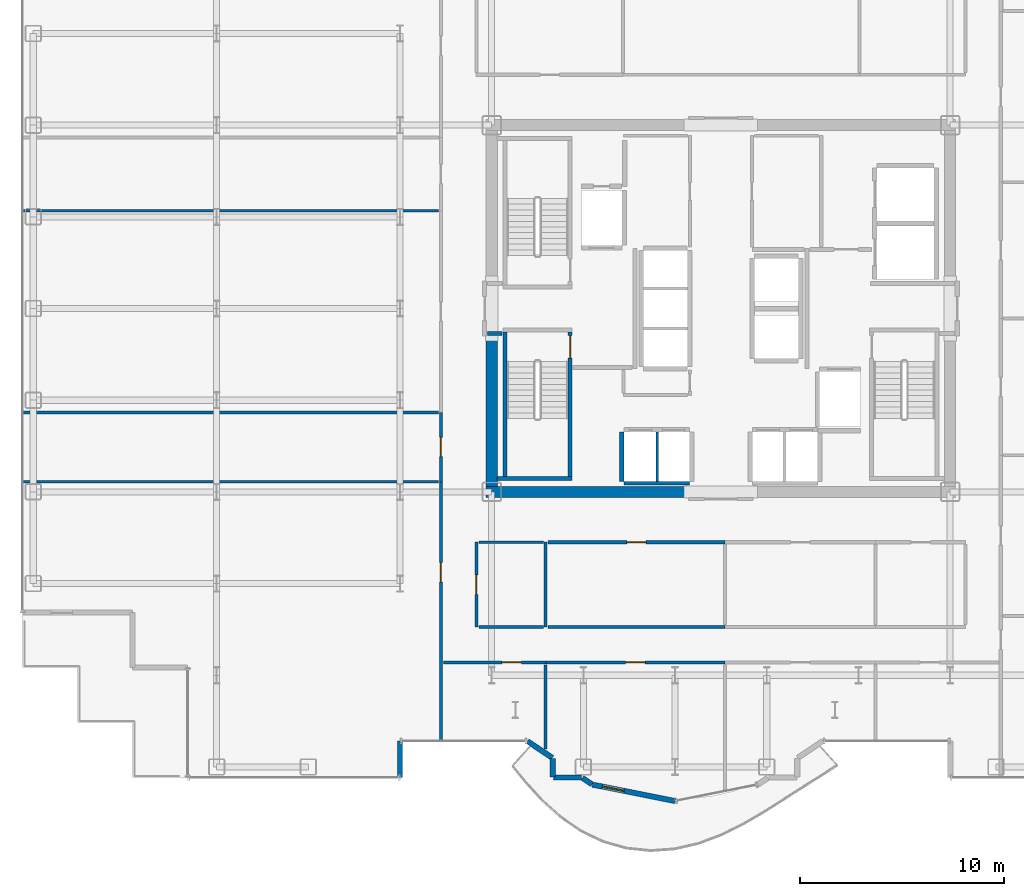
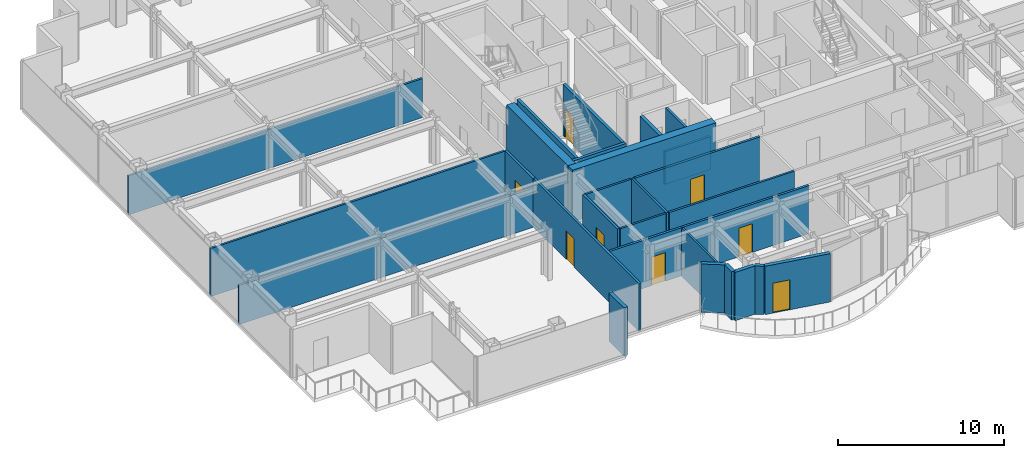
# One storey, part 15 of 23: 29 walls, 8 doors, 8 openings.
"""IFC4 building model written with IfcOpenShell, lengths in metres."""

import ifcopenshell
import ifcopenshell.guid

model = None  # the IFC model being written
_history = None  # IfcOwnerHistory: only IFC2X3 demands one
_inside = {}  # id of a spatial element -> (the spatial element, [elements in it])
_under = {}  # id of a project, library or spatial element -> (it, [spatial elements below it])
_declared = {}  # id of a project -> (the project, [libraries it declares])
_typed = {}  # id of a type object -> (the type object, [elements of that type])
_made_of = {}  # id of a material, layer set ... -> (it, [elements and type objects made of it])


def new_model(schema):
    """Start an empty IFC model of exactly this schema.

    Asked for "IFC4X3", IfcOpenShell would pick the latest addendum, in which some entities
    have other attributes; the version numbers below select the first issue.
    IFC2X3 requires an IfcOwnerHistory on every rooted entity: one is made here for all.
    """
    global model, _history
    if schema == "IFC4X3":
        model = ifcopenshell.file(schema_version=(4, 3, 0, 0))
    else:
        model = ifcopenshell.file(schema=schema)
    _inside.clear()
    _under.clear()
    _declared.clear()
    _typed.clear()
    _made_of.clear()
    _history = None
    if model.schema == "IFC2X3":
        org = make("IfcOrganization", Name="unknown")
        user = make(
            "IfcPersonAndOrganization",
            ThePerson=make("IfcPerson", FamilyName="unknown"),
            TheOrganization=org,
        )
        app = make(
            "IfcApplication",
            ApplicationDeveloper=org,
            Version="unknown",
            ApplicationFullName="unknown",
            ApplicationIdentifier="unknown",
        )
        _history = make(
            "IfcOwnerHistory",
            OwningUser=user,
            OwningApplication=app,
            ChangeAction="ADDED",
            CreationDate=0,
        )
    return model


def make(cls, **values):
    """One entity of the class cls with the attributes given. An attribute that is None is left unset."""
    return model.create_entity(
        cls, **{name: value for name, value in values.items() if value is not None}
    )


def rooted(cls, **values):
    """An entity with a GlobalId (a new one), such as an element, a storey or a relation."""
    return make(cls, GlobalId=ifcopenshell.guid.new(), OwnerHistory=_history, **values)


def si_unit(unit_type, name, prefix=None):
    """IfcSIUnit, for example si_unit("LENGTHUNIT", "METRE", prefix="MILLI")."""
    return make("IfcSIUnit", UnitType=unit_type, Prefix=prefix, Name=name)


def assignment(units):
    """IfcUnitAssignment: the units of a project."""
    return None if units is None else make("IfcUnitAssignment", Units=units)


def point(xyz):
    """IfcCartesianPoint."""
    return None if xyz is None else make("IfcCartesianPoint", Coordinates=xyz)


def direction(xyz):
    """IfcDirection."""
    return None if xyz is None else make("IfcDirection", DirectionRatios=xyz)


def frame(location, z_axis=None, x_axis=None):
    """IfcAxis2Placement3D, a coordinate frame: its origin and axes. An axis left out is left unset."""
    return make(
        "IfcAxis2Placement3D",
        Location=point(location),
        Axis=direction(z_axis),
        RefDirection=direction(x_axis),
    )


def frame_2d(location, x_axis=None):
    """IfcAxis2Placement2D, a coordinate frame in the plane: its origin and x axis."""
    return make(
        "IfcAxis2Placement2D", Location=point(location), RefDirection=direction(x_axis)
    )


def origin():
    """The frame at (0, 0, 0) with its axes left unset."""
    return frame((0.0, 0.0, 0.0))


def place(relative_to, where):
    """IfcLocalPlacement: puts the frame where relative to a parent placement (None: the world)."""
    return make(
        "IfcLocalPlacement", PlacementRelTo=relative_to, RelativePlacement=where
    )


def context(
    kind, dimensions, precision=None, world=None, true_north=None, identifier=None
):
    """IfcGeometricRepresentationContext, for example the 3D "Model" context."""
    return make(
        "IfcGeometricRepresentationContext",
        ContextIdentifier=identifier,
        ContextType=kind,
        CoordinateSpaceDimension=dimensions,
        Precision=precision,
        WorldCoordinateSystem=world,
        TrueNorth=true_north,
    )


def subcontext(parent, identifier, kind, view, scale=None):
    """IfcGeometricRepresentationSubContext, for example "Body" below "Model"."""
    return make(
        "IfcGeometricRepresentationSubContext",
        ContextIdentifier=identifier,
        ContextType=kind,
        ParentContext=parent,
        TargetScale=scale,
        TargetView=view,
    )


def project(units=None, contexts=None):
    """IfcProject with its units and contexts."""
    return rooted(
        "IfcProject",
        Name="project",
        RepresentationContexts=contexts,
        UnitsInContext=assignment(units),
    )


def spatial(cls, under=None, at=None, **own):
    """A site, building, storey or space (cls), placed at a placement, below another one or the project."""
    s = rooted(cls, ObjectPlacement=at, **own)
    if under is not None:
        _under.setdefault(under.id(), (under, []))[1].append(s)
    return s


def profile(cls, at=None, kind="AREA", **sizes):
    """A parametric profile (cls). Its sizes go by their IFC names, for example OverallWidth=200.0."""
    return make(cls, ProfileType=kind, Position=at, **sizes)


def rectangle(**sizes):
    """IfcRectangleProfileDef."""
    return profile("IfcRectangleProfileDef", **sizes)


def extrude(swept, where, along, depth):
    """IfcExtrudedAreaSolid: the profile swept, set in the frame where, extruded along a direction by depth."""
    return make(
        "IfcExtrudedAreaSolid",
        SweptArea=swept,
        Position=where,
        ExtrudedDirection=direction(along),
        Depth=depth,
    )


def shape(context_of_items, identifier, shape_type, items):
    """IfcShapeRepresentation: the items that make up one representation, for example the "Body"."""
    return make(
        "IfcShapeRepresentation",
        ContextOfItems=context_of_items,
        RepresentationIdentifier=identifier,
        RepresentationType=shape_type,
        Items=items,
    )


def source(mapping_origin, context_of_items, identifier, shape_type, items):
    """IfcRepresentationMap: a shape defined once, which mapped items show again and again."""
    return make(
        "IfcRepresentationMap",
        MappingOrigin=mapping_origin,
        MappedRepresentation=shape(context_of_items, identifier, shape_type, items),
    )


def transform(
    local_origin,
    x_axis=None,
    y_axis=None,
    z_axis=None,
    scale=None,
    scale2=None,
    scale3=None,
    uniform=True,
):
    """IfcCartesianTransformationOperator3D, or its non-uniform kind. x_axis, y_axis, z_axis: its Axis1, 2, 3."""
    if uniform:
        return make(
            "IfcCartesianTransformationOperator3D",
            Axis1=direction(x_axis),
            Axis2=direction(y_axis),
            LocalOrigin=point(local_origin),
            Scale=scale,
            Axis3=direction(z_axis),
        )
    return make(
        "IfcCartesianTransformationOperator3DnonUniform",
        Axis1=direction(x_axis),
        Axis2=direction(y_axis),
        LocalOrigin=point(local_origin),
        Scale=scale,
        Axis3=direction(z_axis),
        Scale2=scale2,
        Scale3=scale3,
    )


def mapped(mapping_source, mapping_target):
    """IfcMappedItem: shows the shape of a source again, moved by a transform."""
    return make(
        "IfcMappedItem", MappingSource=mapping_source, MappingTarget=mapping_target
    )


def material(Name=None, Category=None):
    """IfcMaterial."""
    return make("IfcMaterial", Name=Name, Category=Category)


def layer(
    of_material, thickness, ventilated=None, Name=None, Category=None, Priority=None
):
    """IfcMaterialLayer: one layer of a wall or slab, of a material (None: an air gap)."""
    return make(
        "IfcMaterialLayer",
        Material=of_material,
        LayerThickness=thickness,
        IsVentilated=ventilated,
        Name=Name,
        Category=Category,
        Priority=Priority,
    )


def layer_set(layers, Name=None):
    """IfcMaterialLayerSet."""
    return make("IfcMaterialLayerSet", MaterialLayers=layers, LayerSetName=Name)


def made_of(thing, what):
    """Note that an element or type object is made of a material, layer set ...; save() writes the relation."""
    if what is not None:
        _made_of.setdefault(what.id(), (what, []))[1].append(thing)
    return thing


def type_object(cls, material=None, **own):
    """A type object (cls), such as IfcWallType, which elements share."""
    return made_of(rooted(cls, **own), material)


def element(
    cls,
    number,
    at=None,
    inside=None,
    cuts=None,
    type_object=None,
    material=None,
    context=None,
    identifier="Body",
    shape_type=None,
    held_by="IfcProductDefinitionShape",
    body=None,
    shapes=None,
    **own,
):
    """One element of the class cls, such as IfcWall. Its Tag is "e" and its number.

    at: its placement. inside: the storey or other place that contains it. cuts: it is an
    opening in that element (IfcRelVoidsElement). A single representation is given by context,
    identifier, shape_type and body (its items); several are given by shapes. held_by: the class
    of the entity that holds the representations. save() writes the other relations.
    """
    e = rooted(cls, Tag="e%d" % number, ObjectPlacement=at, **own)
    if body is not None:
        shapes = [shape(context, identifier, shape_type, body)]
    if shapes is not None:
        e.Representation = make(held_by, Representations=shapes)
    if inside is not None:
        _inside.setdefault(inside.id(), (inside, []))[1].append(e)
    if cuts is not None:
        rooted(
            "IfcRelVoidsElement", RelatingBuildingElement=cuts, RelatedOpeningElement=e
        )
    if type_object is not None:
        _typed.setdefault(type_object.id(), (type_object, []))[1].append(e)
    return made_of(e, material)


def fill(opening, filler):
    """IfcRelFillsElement: the door or window that sits in an opening."""
    return rooted(
        "IfcRelFillsElement",
        RelatingOpeningElement=opening,
        RelatedBuildingElement=filler,
    )


def aggregate(whole, parts):
    """IfcRelAggregates: a whole, such as a stair, and the parts it consists of."""
    return rooted("IfcRelAggregates", RelatingObject=whole, RelatedObjects=parts)


def save(model, path):
    """Write the relations noted so far, then the file.

    IfcRelAggregates (storeys below a building ...), IfcRelContainedInSpatialStructure (elements
    in a storey), IfcRelDefinesByType, IfcRelAssociatesMaterial and IfcRelDeclares: one each for
    every whole, place, type object, material and project.
    """
    for whole, parts in _under.values():
        aggregate(whole, parts)
    for where, things in _inside.values():
        rooted(
            "IfcRelContainedInSpatialStructure",
            RelatedElements=things,
            RelatingStructure=where,
        )
    for kind, things in _typed.values():
        rooted("IfcRelDefinesByType", RelatedObjects=things, RelatingType=kind)
    for what, things in _made_of.values():
        rooted("IfcRelAssociatesMaterial", RelatedObjects=things, RelatingMaterial=what)
    for by, libraries in _declared.values():
        rooted("IfcRelDeclares", RelatingContext=by, RelatedDefinitions=libraries)
    model.write(path)


model = new_model("IFC4")

# Units and contexts
model_context = context("Model", 3, precision=1e-05, world=origin(), true_north=direction((0.0, 1.0)))
body_context = subcontext(model_context, "Body", "Model", "MODEL_VIEW")
ifc_project = project(units=[si_unit("LENGTHUNIT", "METRE"), si_unit("AREAUNIT", "SQUARE_METRE"), si_unit("VOLUMEUNIT", "CUBIC_METRE"), si_unit("PLANEANGLEUNIT", "RADIAN"), si_unit("MASSUNIT", "GRAM", prefix="KILO")], contexts=[model_context])

# Site, building, storey
site_placement = place(None, origin())
site = spatial("IfcSite", under=ifc_project, at=site_placement, CompositionType="ELEMENT")
building_placement = place(site_placement, origin())
building = spatial("IfcBuilding", under=site, at=building_placement, Name="Nefas-Gora Pilgrimage Tower", CompositionType="ELEMENT")
storey_placement = place(building_placement, frame((0.0, 0.0, 164.0)))
storey = spatial("IfcBuildingStorey", under=building, at=storey_placement, Name="L40", CompositionType="ELEMENT", Elevation=164.0)

# Walls
ifc_material_1 = material(Name="Concrete C60/75", Category="concrete")
ifc_layer_1 = layer(ifc_material_1, 0.550048828125)
ifc_layer_set_1 = layer_set([ifc_layer_1], Name="Concrete C60/75")
wall_type_1 = type_object("IfcWallType", Name="SW-CORE-550", PredefinedType="SHEAR", material=ifc_layer_set_1)
shared_shape_1 = source(origin(), body_context, "Body", "SweptSolid", [
    extrude(rectangle(XDim=9.974853515625, YDim=0.550048828125, at=frame_2d((4.9873046875, 0.0))), origin(), (0.0, 0.0, 1.0), 3.800048828125),
])
wall_1_placement = place(storey_placement, frame((-11.52490234375, -9.0, 0.0), z_axis=(0.0, 0.0, 1.0), x_axis=(1.0, 0.0, 0.0)))
element("IfcWall", 1, at=wall_1_placement, inside=storey, type_object=wall_type_1, Name="L40 Core Shear Wall S-West", PredefinedType="SHEAR", context=body_context, shape_type="MappedRepresentation", body=[
    mapped(shared_shape_1, transform((0.0, 0.0, 0.0), x_axis=(1.0, 0.0, 0.0), y_axis=(0.0, 1.0, 0.0), z_axis=(0.0, 0.0, 1.0), scale=1.0)),
])
shared_shape_2 = source(origin(), body_context, "Body", "SweptSolid", [
    extrude(rectangle(XDim=7.375, YDim=0.550048828125, at=frame_2d((3.6875, 0.0))), origin(), (0.0, 0.0, 1.0), 3.800048828125),
])
wall_2_placement = place(storey_placement, frame((-11.25, -8.72509765625, 0.0), z_axis=(0.0, 0.0, 1.0), x_axis=(0.0, 1.0, 0.0)))
element("IfcWall", 2, at=wall_2_placement, inside=storey, type_object=wall_type_1, Name="L40 Core Shear Wall W-South", PredefinedType="SHEAR", context=body_context, shape_type="MappedRepresentation", body=[
    mapped(shared_shape_2, transform((0.0, 0.0, 0.0), x_axis=(1.0, 0.0, 0.0), y_axis=(0.0, 1.0, 0.0), z_axis=(0.0, 0.0, 1.0), scale=1.0)),
])
ifc_material_2 = material(Name="Precast concrete C40/50", Category="concrete")
ifc_layer_2 = layer(ifc_material_2, 0.260009765625)
ifc_layer_set_2 = layer_set([ifc_layer_2], Name="Precast concrete C40/50")
wall_type_2 = type_object("IfcWallType", Name="EW-PORTAL-260", PredefinedType="SOLIDWALL", material=ifc_layer_set_2)
shared_shape_3 = source(origin(), body_context, "Body", "SweptSolid", [
    extrude(rectangle(XDim=1.800048828125, YDim=0.260009765625, at=frame_2d((0.89990234375, 0.0))), origin(), (0.0, 0.0, 1.0), 3.550048828125),
])
wall_3_placement = place(storey_placement, frame((-15.75, -23.02001953125, 0.0), z_axis=(0.0, 0.0, 1.0), x_axis=(0.0, 1.0, 0.0)))
element("IfcWall", 3, at=wall_3_placement, inside=storey, type_object=wall_type_2, Name="L40 Lobe Shoulder Precast Spandrel Pier 28", PredefinedType="SOLIDWALL", context=body_context, shape_type="MappedRepresentation", body=[
    mapped(shared_shape_3, transform((0.0, 0.0, 0.0), x_axis=(1.0, 0.0, 0.0), y_axis=(0.0, 1.0, 0.0), z_axis=(0.0, 0.0, 1.0), scale=1.0)),
])
shared_shape_4 = source(origin(), body_context, "Body", "SweptSolid", [
    extrude(rectangle(XDim=1.468994140625, YDim=0.260009765625, at=frame_2d((0.734375, 0.0))), origin(), (0.0, 0.0, 1.0), 3.550048828125),
])
wall_4_placement = place(storey_placement, frame((-9.49462890625, -21.235595703125, 0.0), z_axis=(0.0, 0.0, 1.0), x_axis=(0.831461760506, -0.555581983884, 0.0)))
element("IfcWall", 4, at=wall_4_placement, inside=storey, type_object=wall_type_2, Name="L40 Lobe Shoulder Precast Spandrel Pier 29", PredefinedType="SOLIDWALL", context=body_context, shape_type="MappedRepresentation", body=[
    mapped(shared_shape_4, transform((0.0, 0.0, 0.0), x_axis=(1.0, 0.0, 0.0), y_axis=(0.0, 1.0, 0.0), z_axis=(0.0, 0.0, 1.0), scale=1.0)),
])
shared_shape_5 = source(origin(), body_context, "Body", "SweptSolid", [
    extrude(rectangle(XDim=0.896728515625, YDim=0.260009765625, at=frame_2d((0.4482421875, 0.0))), origin(), (0.0, 0.0, 1.0), 3.550048828125),
])
wall_5_placement = place(storey_placement, frame((-8.25, -22.09521484375, 0.0), z_axis=(0.0, 0.0, 1.0), x_axis=(0.0, -1.0, 0.0)))
element("IfcWall", 5, at=wall_5_placement, inside=storey, type_object=wall_type_2, Name="L40 Lobe Shoulder Precast Spandrel Pier 30", PredefinedType="SOLIDWALL", context=body_context, shape_type="MappedRepresentation", body=[
    mapped(shared_shape_5, transform((0.0, 0.0, 0.0), x_axis=(1.0, 0.0, 0.0), y_axis=(0.0, 1.0, 0.0), z_axis=(0.0, 0.0, 1.0), scale=1.0)),
])
shared_shape_6 = source(origin(), body_context, "Body", "SweptSolid", [
    extrude(rectangle(XDim=1.369873046875, YDim=0.260009765625, at=frame_2d((0.68505859375, 0.0))), origin(), (0.0, 0.0, 1.0), 3.550048828125),
])
wall_6_placement = place(storey_placement, frame((-8.221923828125, -23.02001953125, 0.0), z_axis=(0.0, 0.0, 1.0), x_axis=(1.0, 0.0, 0.0)))
element("IfcWall", 6, at=wall_6_placement, inside=storey, type_object=wall_type_2, Name="L40 Lobe Shoulder Precast Spandrel Pier 31", PredefinedType="SOLIDWALL", context=body_context, shape_type="MappedRepresentation", body=[
    mapped(shared_shape_6, transform((0.0, 0.0, 0.0), x_axis=(1.0, 0.0, 0.0), y_axis=(0.0, 1.0, 0.0), z_axis=(0.0, 0.0, 1.0), scale=1.0)),
])
shared_shape_7 = source(origin(), body_context, "Body", "SweptSolid", [
    extrude(rectangle(XDim=0.5654296875, YDim=0.260009765625, at=frame_2d((0.28271484375, 0.0))), origin(), (0.0, 0.0, 1.0), 3.550048828125),
])
wall_7_placement = place(storey_placement, frame((-6.80078125, -23.03564453125, 0.0), z_axis=(0.0, 0.0, 1.0), x_axis=(0.831651492666, -0.555297933317, 0.0)))
element("IfcWall", 7, at=wall_7_placement, inside=storey, type_object=wall_type_2, Name="L40 Lobe Shoulder Precast Spandrel Pier 32", PredefinedType="SOLIDWALL", context=body_context, shape_type="MappedRepresentation", body=[
    mapped(shared_shape_7, transform((0.0, 0.0, 0.0), x_axis=(1.0, 0.0, 0.0), y_axis=(0.0, 1.0, 0.0), z_axis=(0.0, 0.0, 1.0), scale=1.0)),
])

# Wall, opening, door
shared_shape_8 = source(origin(), body_context, "Body", "SweptSolid", [
    extrude(rectangle(XDim=4.136962890625, YDim=0.260009765625, at=frame_2d((2.068359375, 0.0))), origin(), (0.0, 0.0, 1.0), 3.550048828125),
])
wall_8_placement = place(storey_placement, frame((-6.307373046875, -23.365234375, 0.0), z_axis=(0.0, 0.0, 1.0), x_axis=(0.980782170794, -0.195105954428, 0.0)))
wall_8 = element("IfcWall", 8, at=wall_8_placement, inside=storey, type_object=wall_type_2, Name="L40 Insulated Terrace Portal Wall 33", PredefinedType="SOLIDWALL", context=body_context, shape_type="MappedRepresentation", body=[
    mapped(shared_shape_8, transform((0.0, 0.0, 0.0), x_axis=(1.0, 0.0, 0.0), y_axis=(0.0, 1.0, 0.0), z_axis=(0.0, 0.0, 1.0), scale=1.0)),
])
opening_1_placement = place(wall_8_placement, frame((0.48779296875, 0.0, 0.0)))
opening_1 = element("IfcOpeningElement", 9, at=opening_1_placement, cuts=wall_8, Name="Opening ED-B1", PredefinedType="OPENING", context=body_context, shape_type="SweptSolid", body=[
    extrude(rectangle(XDim=1.10009765625, YDim=2.199951171875, at=frame_2d((0.550048828125, 1.10009765625))), frame((0.0, 0.139892578125, 0.0), z_axis=(0.0, -1.0, 0.0), x_axis=(1.0, 0.0, 0.0)), (0.0, 0.0, 1.0), 0.280029296875),
])
ifc_material_3 = material(Name="Thermally broken glazed aluminium balcony door", Category="aluminium")
door_type_1 = type_object("IfcDoorType", Name="DR-EXT-BAL-1100", OperationType="NOTDEFINED", PredefinedType="DOOR", material=ifc_material_3)
shared_shape_9 = source(origin(), body_context, "Body", "SweptSolid", [
    extrude(rectangle(XDim=1.10009765625, YDim=2.199951171875, at=frame_2d((0.550048828125, 1.10009765625))), frame((0.0, 0.02490234375, 0.0), z_axis=(0.0, -1.0, 0.0), x_axis=(1.0, 0.0, 0.0)), (0.0, 0.0, 1.0), 0.050048828125),
])
door_1_placement = place(opening_1_placement, origin())
door_1 = element("IfcDoor", 10, at=door_1_placement, inside=storey, type_object=door_type_1, Name="L40 Exterior Door (L40 S Lobe Wave Balcony)", OperationType="SINGLE_SWING_RIGHT", OverallHeight=2.199951171875, OverallWidth=1.10009765625, PredefinedType="DOOR", context=body_context, shape_type="MappedRepresentation", body=[
    mapped(shared_shape_9, transform((0.0, 0.0, 0.0), x_axis=(1.0, 0.0, 0.0), y_axis=(0.0, 1.0, 0.0), z_axis=(0.0, 0.0, 1.0), scale=1.0)),
])
fill(opening_1, door_1)

# Wall
ifc_material_4 = material(Name="Concrete C45/55", Category="concrete")
ifc_layer_3 = layer(ifc_material_4, 0.199951171875)
ifc_layer_set_3 = layer_set([ifc_layer_3], Name="Concrete C45/55")
wall_type_3 = type_object("IfcWallType", Name="IW-STAIR-200", PredefinedType="SOLIDWALL", material=ifc_layer_set_3)
shared_shape_10 = source(origin(), body_context, "Body", "SweptSolid", [
    extrude(rectangle(XDim=7.10009765625, YDim=0.199951171875, at=frame_2d((3.550048828125, 0.0))), origin(), (0.0, 0.0, 1.0), 3.800048828125),
])
wall_9_placement = place(storey_placement, frame((-10.60009765625, -1.14990234375, 0.0), z_axis=(0.0, 0.0, 1.0), x_axis=(0.0, -1.0, 0.0)))
element("IfcWall", 11, at=wall_9_placement, inside=storey, type_object=wall_type_3, Name="L40 Stairwell Shear Wall ST-03-left", PredefinedType="SOLIDWALL", context=body_context, shape_type="MappedRepresentation", body=[
    mapped(shared_shape_10, transform((0.0, 0.0, 0.0), x_axis=(1.0, 0.0, 0.0), y_axis=(0.0, 1.0, 0.0), z_axis=(0.0, 0.0, 1.0), scale=1.0)),
])

# Wall, opening, door
wall_10_placement = place(storey_placement, frame((-7.39990234375, -1.14990234375, 0.0), z_axis=(0.0, 0.0, 1.0), x_axis=(0.0, -1.0, 0.0)))
wall_10 = element("IfcWall", 12, at=wall_10_placement, inside=storey, type_object=wall_type_3, Name="L40 Stairwell Shear Wall ST-03-right", PredefinedType="SOLIDWALL", context=body_context, shape_type="MappedRepresentation", body=[
    mapped(shared_shape_10, transform((0.0, 0.0, 0.0), x_axis=(1.0, 0.0, 0.0), y_axis=(0.0, 1.0, 0.0), z_axis=(0.0, 0.0, 1.0), scale=1.0)),
])
opening_2_placement = place(wall_10_placement, frame((0.179931640625, 0.0, 0.0)))
opening_2 = element("IfcOpeningElement", 13, at=opening_2_placement, cuts=wall_10, Name="Opening ID-ST1", PredefinedType="OPENING", context=body_context, shape_type="SweptSolid", body=[
    extrude(rectangle(XDim=1.10009765625, YDim=2.14990234375, at=frame_2d((0.550048828125, 1.074951171875))), frame((0.0, 0.10986328125, 0.0), z_axis=(0.0, -1.0, 0.0), x_axis=(1.0, 0.0, 0.0)), (0.0, 0.0, 1.0), 0.219970703125),
])
ifc_material_5 = material(Name="Painted galvanised steel fire stair door", Category="steel")
door_type_2 = type_object("IfcDoorType", Name="DR-INT-STAIR-1100", OperationType="NOTDEFINED", PredefinedType="DOOR", material=ifc_material_5)
shared_shape_11 = source(origin(), body_context, "Body", "SweptSolid", [
    extrude(rectangle(XDim=1.10009765625, YDim=2.14990234375, at=frame_2d((0.550048828125, 1.074951171875))), frame((0.0, 0.02490234375, 0.0), z_axis=(0.0, -1.0, 0.0), x_axis=(1.0, 0.0, 0.0)), (0.0, 0.0, 1.0), 0.050048828125),
])
door_2_placement = place(opening_2_placement, origin())
door_2 = element("IfcDoor", 14, at=door_2_placement, inside=storey, type_object=door_type_2, Name="L40 Protected Exit Stair Door ST-03", OperationType="SINGLE_SWING_RIGHT", OverallHeight=2.14990234375, OverallWidth=1.10009765625, PredefinedType="DOOR", context=body_context, shape_type="MappedRepresentation", body=[
    mapped(shared_shape_11, transform((0.0, 0.0, 0.0), x_axis=(1.0, 0.0, 0.0), y_axis=(0.0, 1.0, 0.0), z_axis=(0.0, 0.0, 1.0), scale=1.0)),
])
fill(opening_2, door_2)

# Walls
shared_shape_12 = source(origin(), body_context, "Body", "SweptSolid", [
    extrude(rectangle(XDim=3.679931640625, YDim=0.199951171875, at=frame_2d((1.83984375, 0.0))), origin(), (0.0, 0.0, 1.0), 3.800048828125),
])
wall_11_placement = place(storey_placement, frame((-10.97998046875, -8.35009765625, 0.0), z_axis=(0.0, 0.0, 1.0), x_axis=(1.0, 0.0, 0.0)))
element("IfcWall", 15, at=wall_11_placement, inside=storey, type_object=wall_type_3, Name="L40 Stairwell Shear Wall ST-03-far", PredefinedType="SOLIDWALL", context=body_context, shape_type="MappedRepresentation", body=[
    mapped(shared_shape_12, transform((0.0, 0.0, 0.0), x_axis=(1.0, 0.0, 0.0), y_axis=(0.0, 1.0, 0.0), z_axis=(0.0, 0.0, 1.0), scale=1.0)),
])
ifc_material_6 = material(Name="Gypsum acoustic stud partition")
ifc_layer_4 = layer(ifc_material_6, 0.159912109375)
ifc_layer_set_4 = layer_set([ifc_layer_4], Name="Gypsum acoustic stud partition")
wall_type_4 = type_object("IfcWallType", Name="IW-CORR-160", PredefinedType="PARTITIONING", material=ifc_layer_set_4)
shared_shape_13 = source(origin(), body_context, "Body", "SweptSolid", [
    extrude(rectangle(XDim=3.199951171875, YDim=0.159912109375, at=frame_2d((1.60009765625, 0.0))), origin(), (0.0, 0.0, 1.0), 2.425048828125),
])
wall_12_placement = place(storey_placement, frame((-4.75, -8.580078125, 0.0), z_axis=(0.0, 0.0, 1.0), x_axis=(1.0, 0.0, 0.0)))
element("IfcWall", 16, at=wall_12_placement, inside=storey, type_object=wall_type_4, Name="L40 Hoistway Wall PL2-W-S", PredefinedType="PARTITIONING", context=body_context, shape_type="MappedRepresentation", body=[
    mapped(shared_shape_13, transform((0.0, 0.0, 0.0), x_axis=(1.0, 0.0, 0.0), y_axis=(0.0, 1.0, 0.0), z_axis=(0.0, 0.0, 1.0), scale=1.0)),
])
ifc_material_7 = material(Name="Concrete C40/50", Category="concrete")
ifc_layer_5 = layer(ifc_material_7, 0.219970703125)
ifc_layer_set_5 = layer_set([ifc_layer_5], Name="Concrete C40/50")
wall_type_5 = type_object("IfcWallType", Name="IW-SHAFT-220", PredefinedType="SOLIDWALL", material=ifc_layer_set_5)
shared_shape_14 = source(origin(), body_context, "Body", "SweptSolid", [
    extrude(rectangle(XDim=2.429931640625, YDim=0.219970703125, at=frame_2d((1.21484375, 0.0))), origin(), (0.0, 0.0, 1.0), 3.534912109375),
])
wall_13_placement = place(storey_placement, frame((-4.860107421875, -6.06005859375, 0.0), z_axis=(0.0, 0.0, 1.0), x_axis=(0.0, -1.0, 0.0)))
element("IfcWall", 17, at=wall_13_placement, inside=storey, type_object=wall_type_5, Name="L40 Hoistway Wall PL2-W-W", PredefinedType="SOLIDWALL", context=body_context, shape_type="MappedRepresentation", body=[
    mapped(shared_shape_14, transform((0.0, 0.0, 0.0), x_axis=(1.0, 0.0, 0.0), y_axis=(0.0, 1.0, 0.0), z_axis=(0.0, 0.0, 1.0), scale=1.0)),
])
ifc_material_8 = material(Name="Gypsum twin-stud partition")
ifc_layer_6 = layer(ifc_material_8, 0.139892578125)
ifc_layer_set_6 = layer_set([ifc_layer_6], Name="Gypsum twin-stud partition")
wall_type_6 = type_object("IfcWallType", Name="IW-UNIT-140", PredefinedType="PARTITIONING", material=ifc_layer_set_6)
shared_shape_15 = source(origin(), body_context, "Body", "SweptSolid", [
    extrude(rectangle(XDim=2.429931640625, YDim=0.139892578125, at=frame_2d((1.21484375, 0.0))), origin(), (0.0, 0.0, 1.0), 3.534912109375),
])
wall_14_placement = place(storey_placement, frame((-3.125, -8.489990234375, 0.0), z_axis=(0.0, 0.0, 1.0), x_axis=(0.0, 1.0, 0.0)))
element("IfcWall", 18, at=wall_14_placement, inside=storey, type_object=wall_type_6, Name="L40 Hoistway Wall PL2-W-DIV", PredefinedType="PARTITIONING", context=body_context, shape_type="MappedRepresentation", body=[
    mapped(shared_shape_15, transform((0.0, 0.0, 0.0), x_axis=(1.0, 0.0, 0.0), y_axis=(0.0, 1.0, 0.0), z_axis=(0.0, 0.0, 1.0), scale=1.0)),
])
ifc_material_9 = material(Name="Gypsum fire-rated shaftwall")
ifc_layer_7 = layer(ifc_material_9, 0.199951171875)
ifc_layer_set_7 = layer_set([ifc_layer_7], Name="Gypsum fire-rated shaftwall")
wall_type_7 = type_object("IfcWallType", Name="IW-FFLOB-200", PredefinedType="PARTITIONING", material=ifc_layer_set_7)
shared_shape_16 = source(origin(), body_context, "Body", "SweptSolid", [
    extrude(rectangle(XDim=0.719970703125, YDim=0.199951171875, at=frame_2d((0.35986328125, 0.0))), origin(), (0.0, 0.0, 1.0), 3.534912109375),
])
wall_15_placement = place(storey_placement, frame((-11.4599609375, -1.219970703125, 0.0), z_axis=(0.0, 0.0, 1.0), x_axis=(1.0, 0.0, 0.0)))
element("IfcWall", 19, at=wall_15_placement, inside=storey, type_object=wall_type_7, Name="L40 FF Lobby West Throat S Wall 8", PredefinedType="PARTITIONING", context=body_context, shape_type="MappedRepresentation", body=[
    mapped(shared_shape_16, transform((0.0, 0.0, 0.0), x_axis=(1.0, 0.0, 0.0), y_axis=(0.0, 1.0, 0.0), z_axis=(0.0, 0.0, 1.0), scale=1.0)),
])
shared_shape_17 = source(origin(), body_context, "Body", "SweptSolid", [
    extrude(rectangle(XDim=20.429931640625, YDim=0.139892578125, at=frame_2d((10.21484375, 0.0))), origin(), (0.0, 0.0, 1.0), 3.534912109375),
])
wall_16_placement = place(storey_placement, frame((-34.2900390625, -5.10498046875, 0.0), z_axis=(0.0, 0.0, 1.0), x_axis=(1.0, 0.0, 0.0)))
element("IfcWall", 20, at=wall_16_placement, inside=storey, type_object=wall_type_6, Name="L40 Pilgrim Fellowship Seminar Room Partition Wall 31", PredefinedType="PARTITIONING", context=body_context, shape_type="MappedRepresentation", body=[
    mapped(shared_shape_17, transform((0.0, 0.0, 0.0), x_axis=(1.0, 0.0, 0.0), y_axis=(0.0, 1.0, 0.0), z_axis=(0.0, 0.0, 1.0), scale=1.0)),
])

# Wall, opening, door
shared_shape_18 = source(origin(), body_context, "Body", "SweptSolid", [
    extrude(rectangle(XDim=12.744873046875, YDim=0.159912109375, at=frame_2d((6.37255859375, 0.0))), origin(), (0.0, 0.0, 1.0), 3.534912109375),
])
wall_17_placement = place(storey_placement, frame((-13.739990234375, -21.239990234375, 0.0), z_axis=(0.0, 0.0, 1.0), x_axis=(0.0, 1.0, 0.0)))
wall_17 = element("IfcWall", 21, at=wall_17_placement, inside=storey, type_object=wall_type_4, Name="L40 Pilgrim Tea and Beverage Pantry Partition Wall 28", PredefinedType="PARTITIONING", context=body_context, shape_type="MappedRepresentation", body=[
    mapped(shared_shape_18, transform((0.0, 0.0, 0.0), x_axis=(1.0, 0.0, 0.0), y_axis=(0.0, 1.0, 0.0), z_axis=(0.0, 0.0, 1.0), scale=1.0)),
])
opening_3_placement = place(wall_17_placement, frame((7.8125, 0.0, 0.0)))
opening_3 = element("IfcOpeningElement", 22, at=opening_3_placement, cuts=wall_17, Name="Opening ID-GR1", PredefinedType="OPENING", context=body_context, shape_type="SweptSolid", body=[
    extrude(rectangle(XDim=0.949951171875, YDim=2.10009765625, at=frame_2d((0.47509765625, 1.050048828125))), frame((0.0, 0.08984375, 0.0), z_axis=(0.0, -1.0, 0.0), x_axis=(1.0, 0.0, 0.0)), (0.0, 0.0, 1.0), 0.179931640625),
])
ifc_material_10 = material(Name="Solid core oak fire-rated guest entrance door")
door_type_3 = type_object("IfcDoorType", Name="DR-INT-GUEST-950", OperationType="NOTDEFINED", PredefinedType="DOOR", material=ifc_material_10)
shared_shape_19 = source(origin(), body_context, "Body", "SweptSolid", [
    extrude(rectangle(XDim=0.949951171875, YDim=2.10009765625, at=frame_2d((0.47509765625, 1.050048828125))), frame((0.0, 0.02490234375, 0.0), z_axis=(0.0, -1.0, 0.0), x_axis=(1.0, 0.0, 0.0)), (0.0, 0.0, 1.0), 0.050048828125),
])
door_3_placement = place(opening_3_placement, origin())
door_3 = element("IfcDoor", 23, at=door_3_placement, inside=storey, type_object=door_type_3, Name="L40 Pilgrim Tea and Beverage Pantry Door 11", OperationType="SINGLE_SWING_RIGHT", OverallHeight=2.10009765625, OverallWidth=0.949951171875, PredefinedType="DOOR", context=body_context, shape_type="MappedRepresentation", body=[
    mapped(shared_shape_19, transform((0.0, 0.0, 0.0), x_axis=(1.0, 0.0, 0.0), y_axis=(0.0, 1.0, 0.0), z_axis=(0.0, 0.0, 1.0), scale=1.0)),
])
fill(opening_3, door_3)

shared_shape_20 = source(origin(), body_context, "Body", "SweptSolid", [
    extrude(rectangle(XDim=3.409912109375, YDim=0.159912109375, at=frame_2d((1.705078125, 0.0))), origin(), (0.0, 0.0, 1.0), 3.534912109375),
])
wall_18_placement = place(storey_placement, frame((-13.739990234375, -8.5048828125, 0.0), z_axis=(0.0, 0.0, 1.0), x_axis=(0.0, 1.0, 0.0)))
wall_18 = element("IfcWall", 24, at=wall_18_placement, inside=storey, type_object=wall_type_4, Name="L40 Pilgrim Fellowship Seminar Room Partition Wall 30", PredefinedType="PARTITIONING", context=body_context, shape_type="MappedRepresentation", body=[
    mapped(shared_shape_20, transform((0.0, 0.0, 0.0), x_axis=(1.0, 0.0, 0.0), y_axis=(0.0, 1.0, 0.0), z_axis=(0.0, 0.0, 1.0), scale=1.0)),
])
opening_4_placement = place(wall_18_placement, frame((1.22998046875, 0.0, 0.0)))
opening_4 = element("IfcOpeningElement", 25, at=opening_4_placement, cuts=wall_18, Name="Opening ID-GR1", PredefinedType="OPENING", context=body_context, shape_type="SweptSolid", body=[
    extrude(rectangle(XDim=0.949951171875, YDim=2.10009765625, at=frame_2d((0.47509765625, 1.050048828125))), frame((0.0, 0.08984375, 0.0), z_axis=(0.0, -1.0, 0.0), x_axis=(1.0, 0.0, 0.0)), (0.0, 0.0, 1.0), 0.179931640625),
])
door_4_placement = place(opening_4_placement, origin())
door_4 = element("IfcDoor", 26, at=door_4_placement, inside=storey, type_object=door_type_3, Name="L40 Pilgrim Fellowship Seminar Room Door 12", OperationType="SINGLE_SWING_LEFT", OverallHeight=2.10009765625, OverallWidth=0.949951171875, PredefinedType="DOOR", context=body_context, shape_type="MappedRepresentation", body=[
    mapped(shared_shape_19, transform((0.0, 0.0, 0.0), x_axis=(1.0, 0.0, 0.0), y_axis=(0.0, 1.0, 0.0), z_axis=(0.0, 0.0, 1.0), scale=1.0)),
])
fill(opening_4, door_4)

shared_shape_21 = source(origin(), body_context, "Body", "SweptSolid", [
    extrude(rectangle(XDim=5.025146484375, YDim=0.159912109375, at=frame_2d((2.5126953125, 0.0))), origin(), (0.0, 0.0, 1.0), 3.534912109375),
])
wall_19_placement = place(storey_placement, frame((-13.6201171875, -17.3701171875, 0.0), z_axis=(0.0, 0.0, 1.0), x_axis=(1.0, 0.0, 0.0)))
wall_19 = element("IfcWall", 27, at=wall_19_placement, inside=storey, type_object=wall_type_4, Name="L40 Pilgrim Contemplative Lounge Partition Wall 64", PredefinedType="PARTITIONING", context=body_context, shape_type="MappedRepresentation", body=[
    mapped(shared_shape_21, transform((0.0, 0.0, 0.0), x_axis=(1.0, 0.0, 0.0), y_axis=(0.0, 1.0, 0.0), z_axis=(0.0, 0.0, 1.0), scale=1.0)),
])
opening_5_placement = place(wall_19_placement, frame((2.881103515625, 0.0, 0.0)))
opening_5 = element("IfcOpeningElement", 28, at=opening_5_placement, cuts=wall_19, Name="Opening ID-GR1", PredefinedType="OPENING", context=body_context, shape_type="SweptSolid", body=[
    extrude(rectangle(XDim=0.949951171875, YDim=2.10009765625, at=frame_2d((0.47509765625, 1.050048828125))), frame((0.0, 0.08984375, 0.0), z_axis=(0.0, -1.0, 0.0), x_axis=(1.0, 0.0, 0.0)), (0.0, 0.0, 1.0), 0.179931640625),
])
door_5_placement = place(opening_5_placement, origin())
door_5 = element("IfcDoor", 29, at=door_5_placement, inside=storey, type_object=door_type_3, Name="L40 Pilgrim Contemplative Lounge Door 29", OperationType="SINGLE_SWING_RIGHT", OverallHeight=2.10009765625, OverallWidth=0.949951171875, PredefinedType="DOOR", context=body_context, shape_type="MappedRepresentation", body=[
    mapped(shared_shape_19, transform((0.0, 0.0, 0.0), x_axis=(1.0, 0.0, 0.0), y_axis=(0.0, 1.0, 0.0), z_axis=(0.0, 0.0, 1.0), scale=1.0)),
])
fill(opening_5, door_5)

# Walls
shared_shape_22 = source(origin(), body_context, "Body", "SweptSolid", [
    extrude(rectangle(XDim=20.429931640625, YDim=0.139892578125, at=frame_2d((10.21484375, 0.0))), origin(), (0.0, 0.0, 1.0), 2.875),
])
for number, where, z_axis, x_axis, name in (
    (30, (-34.2900390625, -8.5048828125, 0.0), (0.0, 0.0, 1.0), (1.0, 0.0, 0.0), "L40 Pilgrim Tea and Beverage Pantry Partition Wall 29"),
    (31, (-34.2900390625, 4.794921875, 0.0), (0.0, 0.0, 1.0), (1.0, 0.0, 0.0), "L40 Pilgrim Fellowship Seminar Room Partition Wall 33"),
):
    element("IfcWall", number, at=place(storey_placement, frame(where, z_axis=z_axis, x_axis=x_axis)), inside=storey, type_object=wall_type_6, Name=name, PredefinedType="PARTITIONING", context=body_context, shape_type="MappedRepresentation", body=[
        mapped(shared_shape_22, transform((0.0, 0.0, 0.0), x_axis=(1.0, 0.0, 0.0), y_axis=(0.0, 1.0, 0.0), z_axis=(0.0, 0.0, 1.0), scale=1.0)),
    ])
shared_shape_23 = source(origin(), body_context, "Body", "SweptSolid", [
    extrude(rectangle(XDim=4.179931640625, YDim=0.139892578125, at=frame_2d((2.08984375, 0.0))), origin(), (0.0, 0.0, 1.0), 3.534912109375),
])
wall_20_placement = place(storey_placement, frame((-8.60498046875, -15.639892578125, 0.0), z_axis=(0.0, 0.0, 1.0), x_axis=(0.0, 1.0, 0.0)))
element("IfcWall", 32, at=wall_20_placement, inside=storey, type_object=wall_type_6, Name="L40 Pilgrim Contemplative Lounge Partition Wall 67", PredefinedType="PARTITIONING", context=body_context, shape_type="MappedRepresentation", body=[
    mapped(shared_shape_23, transform((0.0, 0.0, 0.0), x_axis=(1.0, 0.0, 0.0), y_axis=(0.0, 1.0, 0.0), z_axis=(0.0, 0.0, 1.0), scale=1.0)),
])

# Wall, opening, door
shared_shape_24 = source(origin(), body_context, "Body", "SweptSolid", [
    extrude(rectangle(XDim=4.179931640625, YDim=0.159912109375, at=frame_2d((2.08984375, 0.0))), origin(), (0.0, 0.0, 1.0), 3.534912109375),
])
wall_21_placement = place(storey_placement, frame((-12.0, -15.639892578125, 0.0), z_axis=(0.0, 0.0, 1.0), x_axis=(0.0, 1.0, 0.0)))
wall_21 = element("IfcWall", 33, at=wall_21_placement, inside=storey, type_object=wall_type_4, Name="L40 Pilgrim Contemplative Lounge Partition Wall 66", PredefinedType="PARTITIONING", context=body_context, shape_type="MappedRepresentation", body=[
    mapped(shared_shape_24, transform((0.0, 0.0, 0.0), x_axis=(1.0, 0.0, 0.0), y_axis=(0.0, 1.0, 0.0), z_axis=(0.0, 0.0, 1.0), scale=1.0)),
])
opening_6_placement = place(wall_21_placement, frame((1.614990234375, 0.0, 0.0)))
opening_6 = element("IfcOpeningElement", 34, at=opening_6_placement, cuts=wall_21, Name="Opening ID-GR1", PredefinedType="OPENING", context=body_context, shape_type="SweptSolid", body=[
    extrude(rectangle(XDim=0.949951171875, YDim=2.10009765625, at=frame_2d((0.47509765625, 1.050048828125))), frame((0.0, 0.08984375, 0.0), z_axis=(0.0, -1.0, 0.0), x_axis=(1.0, 0.0, 0.0)), (0.0, 0.0, 1.0), 0.179931640625),
])
door_6_placement = place(opening_6_placement, origin())
door_6 = element("IfcDoor", 35, at=door_6_placement, inside=storey, type_object=door_type_3, Name="L40 Pilgrim Contemplative Lounge Door 30", OperationType="SINGLE_SWING_LEFT", OverallHeight=2.10009765625, OverallWidth=0.949951171875, PredefinedType="DOOR", context=body_context, shape_type="MappedRepresentation", body=[
    mapped(shared_shape_19, transform((0.0, 0.0, 0.0), x_axis=(1.0, 0.0, 0.0), y_axis=(0.0, 1.0, 0.0), z_axis=(0.0, 0.0, 1.0), scale=1.0)),
])
fill(opening_6, door_6)

# Walls
shared_shape_25 = source(origin(), body_context, "Body", "SweptSolid", [
    extrude(rectangle(XDim=4.137939453125, YDim=0.139892578125, at=frame_2d((2.06884765625, 0.0))), origin(), (0.0, 0.0, 1.0), 3.534912109375),
])
wall_22_placement = place(storey_placement, frame((-8.60498046875, -21.6279296875, 0.0), z_axis=(0.0, 0.0, 1.0), x_axis=(0.0, 1.0, 0.0)))
element("IfcWall", 36, at=wall_22_placement, inside=storey, type_object=wall_type_6, Name="L40 Pilgrim Contemplative Lounge Partition Wall 65", PredefinedType="PARTITIONING", context=body_context, shape_type="MappedRepresentation", body=[
    mapped(shared_shape_25, transform((0.0, 0.0, 0.0), x_axis=(1.0, 0.0, 0.0), y_axis=(0.0, 1.0, 0.0), z_axis=(0.0, 0.0, 1.0), scale=1.0)),
])
shared_shape_26 = source(origin(), body_context, "Body", "SweptSolid", [
    extrude(rectangle(XDim=3.164794921875, YDim=0.139892578125, at=frame_2d((1.58251953125, 0.0))), origin(), (0.0, 0.0, 1.0), 3.534912109375),
])
for number, where, z_axis, x_axis, name in (
    (37, (-11.8798828125, -11.469970703125, 0.0), (0.0, 0.0, 1.0), (1.0, 0.0, 0.0), "L40 Pilgrim Contemplative Lounge Partition Wall 68"),
    (38, (-11.8798828125, -15.6298828125, 0.0), (0.0, 0.0, 1.0), (1.0, 0.0, 0.0), "L40 Pilgrim Contemplative Lounge Partition Wall 69"),
):
    element("IfcWall", number, at=place(storey_placement, frame(where, z_axis=z_axis, x_axis=x_axis)), inside=storey, type_object=wall_type_6, Name=name, PredefinedType="PARTITIONING", context=body_context, shape_type="MappedRepresentation", body=[
        mapped(shared_shape_26, transform((0.0, 0.0, 0.0), x_axis=(1.0, 0.0, 0.0), y_axis=(0.0, 1.0, 0.0), z_axis=(0.0, 0.0, 1.0), scale=1.0)),
    ])

# Wall, opening, door
shared_shape_27 = source(origin(), body_context, "Body", "SweptSolid", [
    extrude(rectangle(XDim=8.81005859375, YDim=0.159912109375, at=frame_2d((4.405029296875, 0.0))), origin(), (0.0, 0.0, 1.0), 3.534912109375),
])
wall_23_placement = place(storey_placement, frame((-8.60498046875, -17.3701171875, 0.0), z_axis=(0.0, 0.0, 1.0), x_axis=(1.0, 0.0, 0.0)))
wall_23 = element("IfcWall", 39, at=wall_23_placement, inside=storey, type_object=wall_type_4, Name="L40 Pilgrim Contemplative Lounge Partition Wall 70", PredefinedType="PARTITIONING", context=body_context, shape_type="MappedRepresentation", body=[
    mapped(shared_shape_27, transform((0.0, 0.0, 0.0), x_axis=(1.0, 0.0, 0.0), y_axis=(0.0, 1.0, 0.0), z_axis=(0.0, 0.0, 1.0), scale=1.0)),
])
opening_7_placement = place(wall_23_placement, frame((3.929931640625, 0.0, 0.0)))
opening_7 = element("IfcOpeningElement", 40, at=opening_7_placement, cuts=wall_23, Name="Opening ID-GR1", PredefinedType="OPENING", context=body_context, shape_type="SweptSolid", body=[
    extrude(rectangle(XDim=0.949951171875, YDim=2.10009765625, at=frame_2d((0.47509765625, 1.050048828125))), frame((0.0, 0.08984375, 0.0), z_axis=(0.0, -1.0, 0.0), x_axis=(1.0, 0.0, 0.0)), (0.0, 0.0, 1.0), 0.179931640625),
])
door_7_placement = place(opening_7_placement, origin())
door_7 = element("IfcDoor", 41, at=door_7_placement, inside=storey, type_object=door_type_3, Name="L40 Pilgrim Contemplative Lounge Door 31", OperationType="SINGLE_SWING_RIGHT", OverallHeight=2.10009765625, OverallWidth=0.949951171875, PredefinedType="DOOR", context=body_context, shape_type="MappedRepresentation", body=[
    mapped(shared_shape_19, transform((0.0, 0.0, 0.0), x_axis=(1.0, 0.0, 0.0), y_axis=(0.0, 1.0, 0.0), z_axis=(0.0, 0.0, 1.0), scale=1.0)),
])
fill(opening_7, door_7)

shared_shape_28 = source(origin(), body_context, "Body", "SweptSolid", [
    extrude(rectangle(XDim=8.7001953125, YDim=0.159912109375, at=frame_2d((4.35009765625, 0.0))), origin(), (0.0, 0.0, 1.0), 3.534912109375),
])
wall_24_placement = place(storey_placement, frame((-8.4951171875, -11.469970703125, 0.0), z_axis=(0.0, 0.0, 1.0), x_axis=(1.0, 0.0, 0.0)))
wall_24 = element("IfcWall", 42, at=wall_24_placement, inside=storey, type_object=wall_type_4, Name="L40 Pilgrim Contemplative Lounge Partition Wall 72", PredefinedType="PARTITIONING", context=body_context, shape_type="MappedRepresentation", body=[
    mapped(shared_shape_28, transform((0.0, 0.0, 0.0), x_axis=(1.0, 0.0, 0.0), y_axis=(0.0, 1.0, 0.0), z_axis=(0.0, 0.0, 1.0), scale=1.0)),
])
opening_8_placement = place(wall_24_placement, frame((3.875, 0.0, 0.0)))
opening_8 = element("IfcOpeningElement", 43, at=opening_8_placement, cuts=wall_24, Name="Opening ID-GR1", PredefinedType="OPENING", context=body_context, shape_type="SweptSolid", body=[
    extrude(rectangle(XDim=0.949951171875, YDim=2.10009765625, at=frame_2d((0.47509765625, 1.050048828125))), frame((0.0, 0.08984375, 0.0), z_axis=(0.0, -1.0, 0.0), x_axis=(1.0, 0.0, 0.0)), (0.0, 0.0, 1.0), 0.179931640625),
])
door_8_placement = place(opening_8_placement, origin())
door_8 = element("IfcDoor", 44, at=door_8_placement, inside=storey, type_object=door_type_3, Name="L40 Pilgrim Contemplative Lounge Door 32", OperationType="SINGLE_SWING_LEFT", OverallHeight=2.10009765625, OverallWidth=0.949951171875, PredefinedType="DOOR", context=body_context, shape_type="MappedRepresentation", body=[
    mapped(shared_shape_19, transform((0.0, 0.0, 0.0), x_axis=(1.0, 0.0, 0.0), y_axis=(0.0, 1.0, 0.0), z_axis=(0.0, 0.0, 1.0), scale=1.0)),
])
fill(opening_8, door_8)

# Wall
shared_shape_29 = source(origin(), body_context, "Body", "SweptSolid", [
    extrude(rectangle(XDim=8.7001953125, YDim=0.139892578125, at=frame_2d((4.35009765625, 0.0))), origin(), (0.0, 0.0, 1.0), 3.534912109375),
])
wall_25_placement = place(storey_placement, frame((-8.4951171875, -15.6298828125, 0.0), z_axis=(0.0, 0.0, 1.0), x_axis=(1.0, 0.0, 0.0)))
element("IfcWall", 45, at=wall_25_placement, inside=storey, type_object=wall_type_6, Name="L40 Pilgrim Contemplative Lounge Partition Wall 73", PredefinedType="PARTITIONING", context=body_context, shape_type="MappedRepresentation", body=[
    mapped(shared_shape_29, transform((0.0, 0.0, 0.0), x_axis=(1.0, 0.0, 0.0), y_axis=(0.0, 1.0, 0.0), z_axis=(0.0, 0.0, 1.0), scale=1.0)),
])

save(model, "model.ifc")
